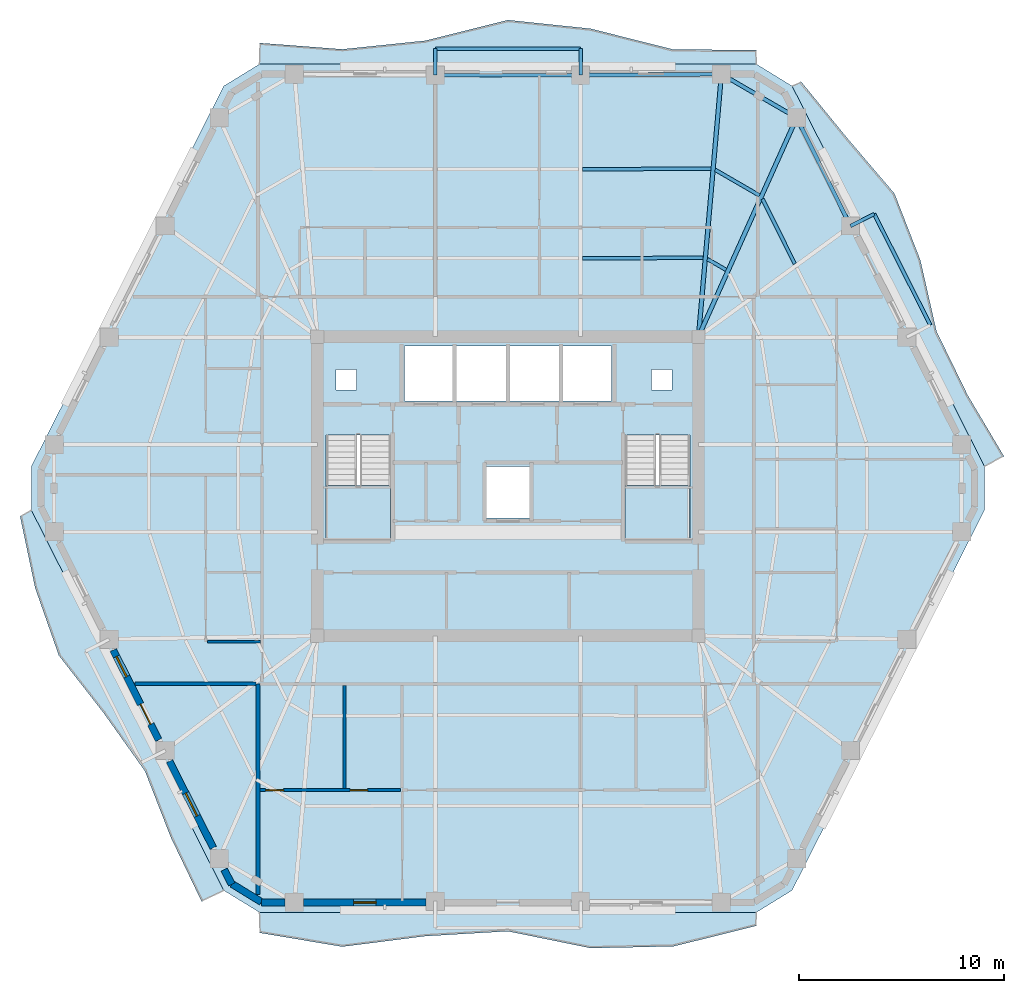
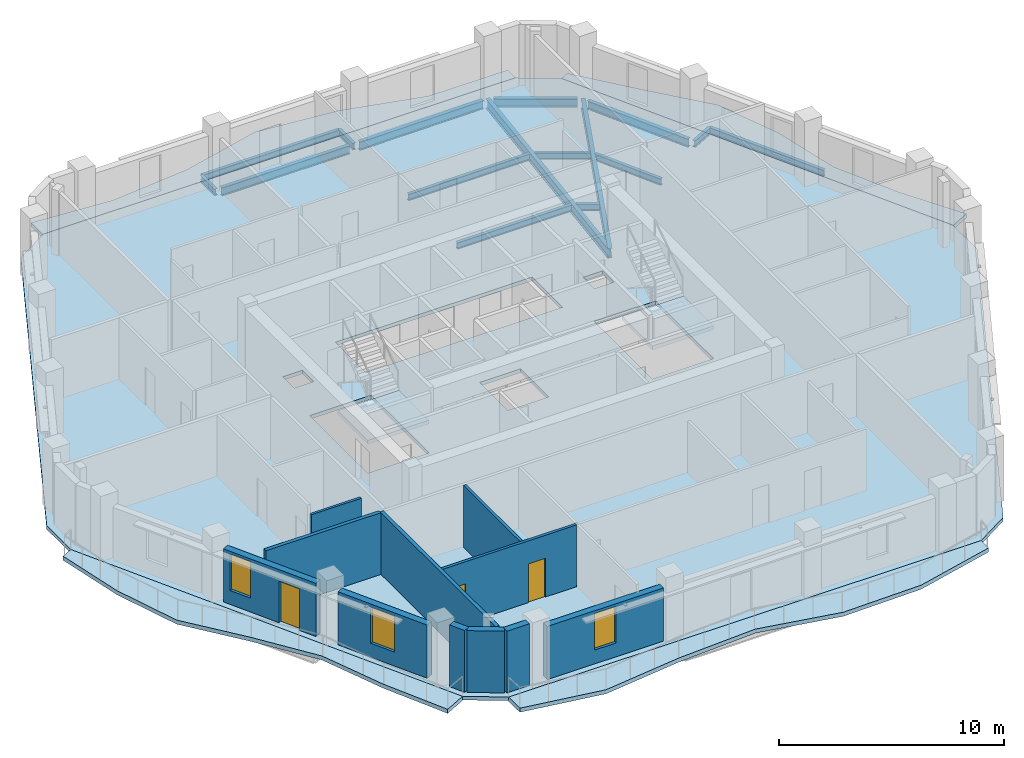
# One storey, part 3 of 11: 16 beams, 11 walls, 7 slabs, 3 doors, 3 windows, 6 openings, 2 elements without a shape of their own.
"""IFC4 building model written with IfcOpenShell, lengths in metres."""

from ifc_helpers import new_model, si_unit, direction, frame, frame_2d, origin, origin_2d, place, context, subcontext, project, spatial, polyline, rectangle, i_section, outline, extrude, material, layer, layer_set, material_profile, profile_set, type_object, element, fill, aggregate, save


model = new_model("IFC4")

# Units and contexts
model_context = context("Model", 3, precision=1e-05, world=origin(), true_north=direction((0.0, 1.0)))
body_context = subcontext(model_context, "Body", "Model", "MODEL_VIEW")
ifc_project = project(units=[si_unit("LENGTHUNIT", "METRE"), si_unit("AREAUNIT", "SQUARE_METRE"), si_unit("VOLUMEUNIT", "CUBIC_METRE"), si_unit("PLANEANGLEUNIT", "RADIAN"), si_unit("MASSUNIT", "GRAM", prefix="KILO")], contexts=[model_context])

# Site, building, storey
site_placement = place(None, origin())
site = spatial("IfcSite", under=ifc_project, at=site_placement, CompositionType="ELEMENT")
building_placement = place(site_placement, origin())
building = spatial("IfcBuilding", under=site, at=building_placement, Name="Cinnabar Lancet Tower", CompositionType="ELEMENT")
storey_placement = place(building_placement, frame((0.0, 0.0, 196.75)))
storey = spatial("IfcBuildingStorey", under=building, at=storey_placement, Name="L52", CompositionType="ELEMENT", Elevation=196.75)

# Beams
ifc_material_1 = material(Name="Structural steel S355", Category="steel")
ifc_material_profile_1 = material_profile(ifc_material_1, i_section(OverallWidth=0.17138671875, OverallDepth=0.35498046875, WebThickness=0.00732421875, FlangeThickness=0.011474609375, FilletRadius=0.01025390625, at=origin_2d()), Name="UKB 356x171x51")
ifc_profile_set_1 = profile_set([ifc_material_profile_1], Name="Structural steel S355")
beam_type_1 = type_object("IfcBeamType", Name="STR-BM-JST-356", PredefinedType="JOIST", material=ifc_profile_set_1)
beam_1_placement = place(storey_placement, frame((46.40087890625, 36.75, -0.376953125), z_axis=(-0.444780091128, 0.895639810714, 0.0), x_axis=(-0.895639810714, -0.444780091128, 0.0)))
element("IfcBeam", 1, at=beam_1_placement, inside=storey, type_object=beam_type_1, Name="L52 Secondary Floor Joist 29", PredefinedType="JOIST", context=body_context, shape_type="SweptSolid", body=[
    extrude(i_section(OverallWidth=0.17138671875, OverallDepth=0.35498046875, WebThickness=0.00732421875, FlangeThickness=0.011474609375, FilletRadius=0.01025390625, at=origin_2d()), origin(), (0.0, 0.0, 1.0), 3.533935546875),
])
beam_2_placement = place(storey_placement, frame((44.677978515625, 40.089111328125, -0.376953125), z_axis=(-0.865267839663, 0.501309849937, 0.0), x_axis=(-0.501309849937, -0.865267839663, 0.0)))
element("IfcBeam", 2, at=beam_2_placement, inside=storey, type_object=beam_type_1, Name="L52 Secondary Floor Joist 31", PredefinedType="JOIST", context=body_context, shape_type="SweptSolid", body=[
    extrude(i_section(OverallWidth=0.17138671875, OverallDepth=0.35498046875, WebThickness=0.00732421875, FlangeThickness=0.011474609375, FilletRadius=0.01025390625, at=origin_2d()), origin(), (0.0, 0.0, 1.0), 2.497314453125),
])
beam_3_placement = place(storey_placement, frame((43.047119140625, 36.45703125, -0.376953125), z_axis=(-0.8651881055, 0.501447446998, 0.0), x_axis=(-0.501447446998, -0.8651881055, 0.0)))
element("IfcBeam", 3, at=beam_3_placement, inside=storey, type_object=beam_type_1, Name="L52 Secondary Floor Joist 32", PredefinedType="JOIST", context=body_context, shape_type="SweptSolid", body=[
    extrude(i_section(OverallWidth=0.17138671875, OverallDepth=0.35498046875, WebThickness=0.00732421875, FlangeThickness=0.011474609375, FilletRadius=0.01025390625, at=origin_2d()), origin(), (0.0, 0.0, 1.0), 1.05322265625),
])
beam_4_placement = place(storey_placement, frame((42.31201171875, 41.39794921875, -0.376953125), z_axis=(-0.999986965561, -0.005105752523, 0.0), x_axis=(0.005105752523, -0.999986965561, 0.0)))
element("IfcBeam", 4, at=beam_4_placement, inside=storey, type_object=beam_type_1, Name="L52 Secondary Floor Joist 33", PredefinedType="JOIST", context=body_context, shape_type="SweptSolid", body=[
    extrude(i_section(OverallWidth=0.17138671875, OverallDepth=0.35498046875, WebThickness=0.00732421875, FlangeThickness=0.011474609375, FilletRadius=0.01025390625, at=origin_2d()), origin(), (0.0, 0.0, 1.0), 6.263916015625),
])
beam_5_placement = place(storey_placement, frame((41.930908203125, 37.04296875, -0.376953125), z_axis=(-0.999996795667, -0.002531532393, 0.0), x_axis=(0.002531532393, -0.999996795667, 0.0)))
element("IfcBeam", 5, at=beam_5_placement, inside=storey, type_object=beam_type_1, Name="L52 Secondary Floor Joist 34", PredefinedType="JOIST", context=body_context, shape_type="SweptSolid", body=[
    extrude(i_section(OverallWidth=0.17138671875, OverallDepth=0.35498046875, WebThickness=0.00732421875, FlangeThickness=0.011474609375, FilletRadius=0.01025390625, at=origin_2d()), origin(), (0.0, 0.0, 1.0), 5.8828125),
])
ifc_material_2 = material(Name="Structural steel S355", Category="steel")
ifc_material_profile_2 = material_profile(ifc_material_2, i_section(OverallWidth=0.1904296875, OverallDepth=0.45703125, WebThickness=0.009033203125, FlangeThickness=0.014404296875, FilletRadius=0.01025390625, at=origin_2d()), Name="UKB 457x191x74")
ifc_profile_set_2 = profile_set([ifc_material_profile_2], Name="Structural steel S355")
beam_type_2 = type_object("IfcBeamType", Name="STR-BM-SPN-457", PredefinedType="SPANDREL", material=ifc_profile_set_2)
beam_6_placement = place(storey_placement, frame((49.008056640625, 38.822998046875, -0.427978515625), z_axis=(-0.444932986899, 0.895563865489, 0.0), x_axis=(-0.895563865489, -0.444932986899, 0.0)))
element("IfcBeam", 6, at=beam_6_placement, inside=storey, type_object=beam_type_2, Name="L52 Perimeter Spandrel 11", PredefinedType="SPANDREL", context=body_context, shape_type="SweptSolid", body=[
    extrude(i_section(OverallWidth=0.1904296875, OverallDepth=0.45703125, WebThickness=0.009033203125, FlangeThickness=0.014404296875, FilletRadius=0.01025390625, at=origin_2d()), origin(), (0.0, 0.0, 1.0), 5.398681640625),
])
beam_7_placement = place(storey_placement, frame((46.279052734375, 44.007080078125, -0.427978515625), z_axis=(-0.865195717586, 0.501434313016, 0.0), x_axis=(-0.501434313016, -0.865195717586, 0.0)))
element("IfcBeam", 7, at=beam_7_placement, inside=storey, type_object=beam_type_2, Name="L52 Perimeter Spandrel 12", PredefinedType="SPANDREL", context=body_context, shape_type="SweptSolid", body=[
    extrude(i_section(OverallWidth=0.1904296875, OverallDepth=0.45703125, WebThickness=0.009033203125, FlangeThickness=0.014404296875, FilletRadius=0.01025390625, at=origin_2d()), origin(), (0.0, 0.0, 1.0), 3.7470703125),
])
beam_8_placement = place(storey_placement, frame((42.571044921875, 46.009033203125, -0.427978515625), z_axis=(-0.999970401924, -0.007693846685, 0.0), x_axis=(0.007693846685, -0.999970401924, 0.0)))
element("IfcBeam", 8, at=beam_8_placement, inside=storey, type_object=beam_type_2, Name="L52 Perimeter Spandrel 13", PredefinedType="SPANDREL", context=body_context, shape_type="SweptSolid", body=[
    extrude(i_section(OverallWidth=0.1904296875, OverallDepth=0.45703125, WebThickness=0.009033203125, FlangeThickness=0.014404296875, FilletRadius=0.01025390625, at=origin_2d()), origin(), (0.0, 0.0, 1.0), 6.378173828125),
])
beam_9_placement = place(storey_placement, frame((35.693115234375, 45.9580078125, -0.427978515625), z_axis=(-1.0, 0.0, 0.0), x_axis=(0.0, -1.0, 0.0)))
element("IfcBeam", 9, at=beam_9_placement, inside=storey, type_object=beam_type_2, Name="L52 Perimeter Spandrel 14", PredefinedType="SPANDREL", context=body_context, shape_type="SweptSolid", body=[
    extrude(i_section(OverallWidth=0.1904296875, OverallDepth=0.45703125, WebThickness=0.009033203125, FlangeThickness=0.014404296875, FilletRadius=0.01025390625, at=origin_2d()), origin(), (0.0, 0.0, 1.0), 6.586181640625),
])
ifc_material_3 = material(Name="Structural steel S355", Category="steel")
ifc_material_profile_3 = material_profile(ifc_material_3, i_section(OverallWidth=0.209228515625, OverallDepth=0.533203125, WebThickness=0.010009765625, FlangeThickness=0.015625, FilletRadius=0.0126953125, at=origin_2d()), Name="UKB 533x210x92")
ifc_profile_set_3 = profile_set([ifc_material_profile_3], Name="Structural steel S355")
beam_type_3 = type_object("IfcBeamType", Name="STR-BM-UKB533-92", PredefinedType="BEAM", material=ifc_profile_set_3)
beam_10_placement = place(storey_placement, frame((46.4951171875, 43.882080078125, -0.467041015625), z_axis=(-0.409527011626, -0.912297992297, 0.0), x_axis=(0.912297992297, -0.409527011626, 0.0)))
element("IfcBeam", 10, at=beam_10_placement, inside=storey, type_object=beam_type_3, Name="L52 Primary Floor Girder 12", PredefinedType="BEAM", context=body_context, shape_type="SweptSolid", body=[
    extrude(i_section(OverallWidth=0.209228515625, OverallDepth=0.533203125, WebThickness=0.010009765625, FlangeThickness=0.015625, FilletRadius=0.0126953125, at=origin_2d()), origin(), (0.0, 0.0, 1.0), 11.708984375),
])
beam_11_placement = place(storey_placement, frame((42.821044921875, 46.010986328125, -0.467041015625), z_axis=(-0.087176841412, -0.996192851973, 0.0), x_axis=(0.996192851973, -0.087176841412, 0.0)))
element("IfcBeam", 11, at=beam_11_placement, inside=storey, type_object=beam_type_3, Name="L52 Primary Floor Girder 13", PredefinedType="BEAM", context=body_context, shape_type="SweptSolid", body=[
    extrude(i_section(OverallWidth=0.209228515625, OverallDepth=0.533203125, WebThickness=0.010009765625, FlangeThickness=0.015625, FilletRadius=0.0126953125, at=origin_2d()), origin(), (0.0, 0.0, 1.0), 12.860107421875),
])
ifc_material_4 = material(Name="Structural steel S355", Category="steel")
ifc_material_profile_4 = material_profile(ifc_material_4, i_section(OverallWidth=0.17138671875, OverallDepth=0.35498046875, WebThickness=0.00732421875, FlangeThickness=0.011474609375, FilletRadius=0.01025390625, at=origin_2d()), Name="UKB 356x171x51")
ifc_profile_set_4 = profile_set([ifc_material_profile_4], Name="Structural steel S355")
beam_type_4 = type_object("IfcBeamType", Name="STR-BM-WAV-OUT", PredefinedType="BEAM", material=ifc_profile_set_4)
for number, where, z_axis, x_axis, name in (
    (12, (49.118896484375, 38.59912109375, -0.39794921875), (0.892314203325, 0.451414845285, 0.0), (-0.451414845285, 0.892314203325, 0.0), "L52 Face 3 Balcony Outlooker B"),
    (13, (35.943115234375, 45.9580078125, -0.39794921875), (0.0, 1.0, 0.0), (-1.0, 0.0, 0.0), "L52 Face 4 Balcony Outlooker A"),
    (14, (28.85693359375, 45.9580078125, -0.39794921875), (0.0, 1.0, 0.0), (-1.0, 0.0, 0.0), "L52 Face 4 Balcony Outlooker B"),
):
    element("IfcBeam", number, at=place(storey_placement, frame(where, z_axis=z_axis, x_axis=x_axis)), inside=storey, type_object=beam_type_4, Name=name, PredefinedType="BEAM", context=body_context, shape_type="SweptSolid", body=[
        extrude(i_section(OverallWidth=0.17138671875, OverallDepth=0.35498046875, WebThickness=0.00732421875, FlangeThickness=0.011474609375, FilletRadius=0.01025390625, at=origin_2d()), origin(), (0.0, 0.0, 1.0), 1.300048828125),
    ])
ifc_material_5 = material(Name="Structural steel S355", Category="steel")
ifc_material_profile_5 = material_profile(ifc_material_5, i_section(OverallWidth=0.17138671875, OverallDepth=0.35498046875, WebThickness=0.00732421875, FlangeThickness=0.011474609375, FilletRadius=0.01025390625, at=origin_2d()), Name="UKB 356x171x51")
ifc_profile_set_5 = profile_set([ifc_material_profile_5], Name="Structural steel S355")
beam_type_5 = type_object("IfcBeamType", Name="STR-BM-WAV-TRIM", PredefinedType="SPANDREL", material=ifc_profile_set_5)
beam_12_placement = place(storey_placement, frame((53.01806640625, 33.758056640625, -0.39794921875), z_axis=(-0.450503306898, 0.892774759093, 0.0), x_axis=(-0.892774759093, -0.450503306898, 0.0)))
element("IfcBeam", 15, at=beam_12_placement, inside=storey, type_object=beam_type_5, Name="L52 Face 3 Balcony Edge Trimmer", PredefinedType="SPANDREL", context=body_context, shape_type="SweptSolid", body=[
    extrude(i_section(OverallWidth=0.17138671875, OverallDepth=0.35498046875, WebThickness=0.00732421875, FlangeThickness=0.011474609375, FilletRadius=0.01025390625, at=origin_2d()), origin(), (0.0, 0.0, 1.0), 6.079833984375),
])
beam_13_placement = place(storey_placement, frame((35.943115234375, 47.258056640625, -0.39794921875), z_axis=(-1.0, 0.0, 0.0), x_axis=(0.0, -1.0, 0.0)))
element("IfcBeam", 16, at=beam_13_placement, inside=storey, type_object=beam_type_5, Name="L52 Face 4 Balcony Edge Trimmer", PredefinedType="SPANDREL", context=body_context, shape_type="SweptSolid", body=[
    extrude(i_section(OverallWidth=0.17138671875, OverallDepth=0.35498046875, WebThickness=0.00732421875, FlangeThickness=0.011474609375, FilletRadius=0.01025390625, at=origin_2d()), origin(), (0.0, 0.0, 1.0), 7.086181640625),
])

# Stair, slab
ifc_material_6 = material(Name="Concrete C40/50", Category="concrete")
stair_type = type_object("IfcStairType", Name="ST-CORE", PredefinedType="HALF_TURN_STAIR", material=ifc_material_6)
stair_1_placement = place(storey_placement, origin())
stair_1 = element("IfcStair", 17, at=stair_1_placement, inside=storey, type_object=stair_type, Name="L52 ST-1", PredefinedType="HALF_TURN_STAIR")
ifc_material_7 = material(Name="Concrete C40/50", Category="concrete")
ifc_layer_1 = layer(ifc_material_7, 0.199951171875)
ifc_layer_set_1 = layer_set([ifc_layer_1], Name="Concrete C40/50")
slab_type_1 = type_object("IfcSlabType", Name="LANDING-CORE", PredefinedType="LANDING", material=ifc_layer_set_1)
slab_1_placement = place(storey_placement, frame((0.0, 0.0, 1.574951171875)))
slab_1 = element("IfcSlab", 18, at=slab_1_placement, type_object=slab_type_1, Name="ST-1 landing 1", PredefinedType="LANDING", context=body_context, shape_type="SweptSolid", body=[
    extrude(outline(polyline([(23.52490234375, 25.925048828125), (23.52490234375, 23.25), (26.675048828125, 23.25), (26.675048828125, 25.925048828125), (23.52490234375, 25.925048828125)])), origin(), (0.0, 0.0, 1.0), 0.199951171875),
])
aggregate(stair_1, [slab_1])

stair_2_placement = place(storey_placement, origin())
stair_2 = element("IfcStair", 19, at=stair_2_placement, inside=storey, type_object=stair_type, Name="L52 ST-2", PredefinedType="HALF_TURN_STAIR")
slab_2_placement = place(storey_placement, frame((0.0, 0.0, 1.574951171875)))
slab_2 = element("IfcSlab", 20, at=slab_2_placement, type_object=slab_type_1, Name="ST-2 landing 1", PredefinedType="LANDING", context=body_context, shape_type="SweptSolid", body=[
    extrude(outline(polyline([(38.125, 25.925048828125), (38.125, 23.25), (41.27490234375, 23.25), (41.27490234375, 25.925048828125), (38.125, 25.925048828125)])), origin(), (0.0, 0.0, 1.0), 0.199951171875),
])
aggregate(stair_2, [slab_2])

# Slabs
ifc_material_8 = material(Name="Concrete C40/50", Category="concrete")
ifc_layer_2 = layer(ifc_material_8, 0.199951171875)
ifc_layer_set_2 = layer_set([ifc_layer_2], Name="Concrete C40/50")
slab_type_2 = type_object("IfcSlabType", Name="STR-SLB-FLR-200", PredefinedType="FLOOR", material=ifc_layer_set_2)
slab_3_placement = place(storey_placement, frame((0.0, 0.0, -0.199951171875)))
element("IfcSlab", 21, at=slab_3_placement, inside=storey, type_object=slab_type_2, Name="L52 Structural Floor Slab", PredefinedType="FLOOR", context=body_context, shape_type="SweptSolid", body=[
    extrude(outline(polyline([(18.530029296875, 6.1708984375), (20.27197265625, 5.10009765625), (44.528076171875, 5.10009765625), (46.27001953125, 6.1708984375), (55.657958984375, 24.72900390625), (55.657958984375, 26.87109375), (46.27001953125, 45.428955078125), (44.528076171875, 46.5), (20.27197265625, 46.5), (18.530029296875, 45.428955078125), (9.14208984375, 26.87109375), (9.14208984375, 24.72900390625), (18.530029296875, 6.1708984375)]), holes=[polyline([(23.52490234375, 23.25), (26.675048828125, 23.25), (26.675048828125, 28.3994140625), (23.52490234375, 28.3994140625), (23.52490234375, 23.25)]), polyline([(38.125, 23.25), (41.27490234375, 23.25), (41.27490234375, 28.3994140625), (38.125, 28.3994140625), (38.125, 23.25)]), polyline([(27.35009765625, 30.050048828125), (37.449951171875, 30.050048828125), (37.449951171875, 32.75), (27.35009765625, 32.75), (27.35009765625, 30.050048828125)]), polyline([(31.35009765625, 24.35009765625), (33.449951171875, 24.35009765625), (33.449951171875, 26.85009765625), (31.35009765625, 26.85009765625), (31.35009765625, 24.35009765625)]), polyline([(24.0, 30.60009765625), (25.0, 30.60009765625), (25.0, 31.60009765625), (24.0, 31.60009765625), (24.0, 30.60009765625)]), polyline([(39.39990234375, 30.60009765625), (40.39990234375, 30.60009765625), (40.39990234375, 31.60009765625), (39.39990234375, 31.60009765625), (39.39990234375, 30.60009765625)])]), origin(), (0.0, 0.0, 1.0), 0.199951171875),
])
ifc_material_9 = material(Name="Concrete C45/55", Category="concrete")
ifc_layer_3 = layer(ifc_material_9, 0.219970703125)
ifc_layer_set_3 = layer_set([ifc_layer_3], Name="Concrete C45/55")
slab_type_3 = type_object("IfcSlabType", Name="STR-SLB-WAV-220", PredefinedType="FLOOR", material=ifc_layer_set_3)
slab_4_placement = place(storey_placement, frame((0.0, 0.0, -0.219970703125)))
element("IfcSlab", 22, at=slab_4_placement, inside=storey, type_object=slab_type_3, Name="L52 Face 1 Undulating Wave Balcony Slab", PredefinedType="FLOOR", context=body_context, shape_type="SweptSolid", body=[
    extrude(outline(polyline([(20.27197265625, 5.10009765625), (20.27197265625, 4.10009765625), (24.31494140625, 3.424072265625), (28.35693359375, 3.93701171875), (32.39990234375, 4.176025390625), (36.443115234375, 3.35205078125), (40.485107421875, 3.43994140625), (44.528076171875, 4.44189453125), (44.528076171875, 5.10009765625), (20.27197265625, 5.10009765625)])), origin(), (0.0, 0.0, 1.0), 0.219970703125),
])
slab_5_placement = place(storey_placement, frame((0.0, 0.0, -0.219970703125)))
element("IfcSlab", 23, at=slab_5_placement, inside=storey, type_object=slab_type_3, Name="L52 Face 3 Undulating Wave Balcony Slab", PredefinedType="FLOOR", context=body_context, shape_type="SweptSolid", body=[
    extrude(outline(polyline([(55.657958984375, 26.87109375), (56.612060546875, 27.35400390625), (54.839111328125, 30.341064453125), (53.319091796875, 33.45703125), (52.527099609375, 36.94091796875), (51.263916015625, 40.18603515625), (48.948974609375, 42.89990234375), (46.7041015625, 45.64794921875), (46.27001953125, 45.428955078125), (55.657958984375, 26.87109375)])), origin(), (0.0, 0.0, 1.0), 0.219970703125),
])
slab_6_placement = place(storey_placement, frame((0.0, 0.0, -0.219970703125)))
element("IfcSlab", 24, at=slab_6_placement, inside=storey, type_object=slab_type_3, Name="L52 Face 4 Undulating Wave Balcony Slab", PredefinedType="FLOOR", context=body_context, shape_type="SweptSolid", body=[
    extrude(outline(polyline([(44.528076171875, 46.5), (44.528076171875, 47.19189453125), (40.485107421875, 47.208984375), (36.443115234375, 48.22900390625), (32.39990234375, 48.653076171875), (28.35693359375, 47.64404296875), (24.31494140625, 47.22509765625), (20.27197265625, 47.533935546875), (20.27197265625, 46.5), (44.528076171875, 46.5)])), origin(), (0.0, 0.0, 1.0), 0.219970703125),
])
slab_7_placement = place(storey_placement, frame((0.0, 0.0, -0.219970703125)))
element("IfcSlab", 25, at=slab_7_placement, inside=storey, type_object=slab_type_3, Name="L52 Face 6 Undulating Wave Balcony Slab", PredefinedType="FLOOR", context=body_context, shape_type="SweptSolid", body=[
    extrude(outline(polyline([(9.14208984375, 24.72900390625), (8.5859375, 24.447021484375), (9.323974609375, 20.93603515625), (10.48095703125, 17.636962890625), (12.653076171875, 14.85107421875), (14.68505859375, 11.9951171875), (15.950927734375, 8.7509765625), (17.452880859375, 5.6259765625), (18.530029296875, 6.1708984375), (9.14208984375, 24.72900390625)])), origin(), (0.0, 0.0, 1.0), 0.219970703125),
])

# Walls
ifc_material_10 = material(Name="Fire-rated twin-frame acoustic drywall", Category="gypsum")
ifc_layer_4 = layer(ifc_material_10, 0.179931640625)
ifc_layer_set_4 = layer_set([ifc_layer_4], Name="Fire-rated twin-frame acoustic drywall")
wall_type_1 = type_object("IfcWallType", Name="ARC-WL-PARTY-180", PredefinedType="PARTITIONING", material=ifc_layer_set_4)
wall_1_placement = place(storey_placement, frame((20.199951171875, 5.968017578125, 0.0), z_axis=(0.0, 0.0, 1.0), x_axis=(0.0, 1.0, 0.0)))
element("IfcWall", 26, at=wall_1_placement, inside=storey, type_object=wall_type_1, Name="PW-L52-SPTY-202", PredefinedType="PARTITIONING", context=body_context, shape_type="SweptSolid", body=[
    extrude(rectangle(XDim=10.281982421875, YDim=0.179931640625, at=frame_2d((5.14111328125, 0.0))), origin(), (0.0, 0.0, 1.0), 3.35009765625),
])
wall_2_placement = place(storey_placement, frame((14.2109375, 16.25, 0.0), z_axis=(0.0, 0.0, 1.0), x_axis=(1.0, 0.0, 0.0)))
element("IfcWall", 27, at=wall_2_placement, inside=storey, type_object=wall_type_1, Name="PW-L52-WSB", PredefinedType="PARTITIONING", context=body_context, shape_type="SweptSolid", body=[
    extrude(rectangle(XDim=5.89404296875, YDim=0.179931640625, at=frame_2d((2.947021484375, 0.0))), origin(), (0.0, 0.0, 1.0), 3.35009765625),
])
ifc_material_11 = material(Name="Gypsum plasterboard stud partition", Category="gypsum")
ifc_layer_5 = layer(ifc_material_11, 0.125)
ifc_layer_set_5 = layer_set([ifc_layer_5], Name="Gypsum plasterboard stud partition")
wall_type_2 = type_object("IfcWallType", Name="ARC-WL-UNIT-125", PredefinedType="PARTITIONING", material=ifc_layer_set_5)
wall_3_placement = place(storey_placement, frame((17.735107421875, 18.300048828125, 0.0), z_axis=(0.0, 0.0, 1.0), x_axis=(1.0, 0.0, 0.0)))
element("IfcWall", 28, at=wall_3_placement, inside=storey, type_object=wall_type_2, Name="UW-L52-W01-FOYN", PredefinedType="PARTITIONING", context=body_context, shape_type="SweptSolid", body=[
    extrude(rectangle(XDim=2.579833984375, YDim=0.125, at=frame_2d((1.2900390625, 0.0))), origin(), (0.0, 0.0, 1.0), 2.806884765625),
])

# Wall, openings, doors
ifc_material_12 = material(Name="Moisture-resistant cement-board plumbing wall", Category="masonry")
ifc_layer_6 = layer(ifc_material_12, 0.139892578125)
ifc_layer_set_6 = layer_set([ifc_layer_6], Name="Moisture-resistant cement-board plumbing wall")
wall_type_3 = type_object("IfcWallType", Name="ARC-WL-WET-140", PredefinedType="PLUMBINGWALL", material=ifc_layer_set_6)
wall_4_placement = place(storey_placement, frame((20.294921875, 11.06298828125, 0.0), z_axis=(0.0, 0.0, 1.0), x_axis=(1.0, 0.0, 0.0)))
wall_4 = element("IfcWall", 29, at=wall_4_placement, inside=storey, type_object=wall_type_3, Name="UW-L52-S01-SPM", PredefinedType="PLUMBINGWALL", context=body_context, shape_type="SweptSolid", body=[
    extrude(rectangle(XDim=6.8671875, YDim=0.139892578125, at=frame_2d((3.43359375, 0.0))), origin(), (0.0, 0.0, 1.0), 3.35009765625),
])
opening_1_placement = place(wall_4_placement, frame((0.280029296875, 0.0, 0.0)))
opening_1 = element("IfcOpeningElement", 30, at=opening_1_placement, cuts=wall_4, Name="Opening RD-02", PredefinedType="OPENING", context=body_context, shape_type="SweptSolid", body=[
    extrude(rectangle(XDim=0.8798828125, YDim=2.14990234375, at=frame_2d((0.43994140625, 1.074951171875))), frame((0.0, 0.079833984375, 0.0), z_axis=(0.0, -1.0, 0.0), x_axis=(1.0, 0.0, 0.0)), (0.0, 0.0, 1.0), 0.159912109375),
])
opening_2_placement = place(wall_4_placement, frame((4.402099609375, 0.0, 0.0)))
opening_2 = element("IfcOpeningElement", 31, at=opening_2_placement, cuts=wall_4, Name="Opening BD-01", PredefinedType="OPENING", context=body_context, shape_type="SweptSolid", body=[
    extrude(rectangle(XDim=0.860107421875, YDim=2.10009765625, at=frame_2d((0.43017578125, 1.050048828125))), frame((0.0, 0.079833984375, 0.0), z_axis=(0.0, -1.0, 0.0), x_axis=(1.0, 0.0, 0.0)), (0.0, 0.0, 1.0), 0.159912109375),
])
ifc_material_13 = material(Name="Moisture-resistant timber bathroom door", Category="wood")
door_type_1 = type_object("IfcDoorType", Name="ARC-DR-BATH", OperationType="NOTDEFINED", PredefinedType="DOOR", material=ifc_material_13)
door_1_placement = place(opening_2_placement, origin())
door_1 = element("IfcDoor", 32, at=door_1_placement, inside=storey, type_object=door_type_1, Name="DR-L52-S01-ENS", OperationType="SINGLE_SWING_LEFT", OverallHeight=2.10009765625, OverallWidth=0.860107421875, PredefinedType="DOOR", context=body_context, shape_type="SweptSolid", body=[
    extrude(rectangle(XDim=0.860107421875, YDim=2.10009765625, at=frame_2d((0.43017578125, 1.050048828125))), frame((0.0, 0.02490234375, 0.0), z_axis=(0.0, -1.0, 0.0), x_axis=(1.0, 0.0, 0.0)), (0.0, 0.0, 1.0), 0.050048828125),
])
fill(opening_2, door_1)
ifc_material_14 = material(Name="Engineered timber study door", Category="wood")
door_type_2 = type_object("IfcDoorType", Name="ARC-DR-STUDY", OperationType="NOTDEFINED", PredefinedType="DOOR", material=ifc_material_14)
door_2_placement = place(opening_1_placement, origin())
door_2 = element("IfcDoor", 33, at=door_2_placement, inside=storey, type_object=door_type_2, Name="DR-L52-S01-ENS-WDR", OperationType="SINGLE_SWING_RIGHT", OverallHeight=2.14990234375, OverallWidth=0.8798828125, PredefinedType="DOOR", context=body_context, shape_type="SweptSolid", body=[
    extrude(rectangle(XDim=0.8798828125, YDim=2.14990234375, at=frame_2d((0.43994140625, 1.074951171875))), frame((0.0, 0.02490234375, 0.0), z_axis=(0.0, -1.0, 0.0), x_axis=(1.0, 0.0, 0.0)), (0.0, 0.0, 1.0), 0.050048828125),
])
fill(opening_1, door_2)

# Walls
wall_5_placement = place(storey_placement, frame((24.4169921875, 11.14794921875, 0.0), z_axis=(0.0, 0.0, 1.0), x_axis=(0.0, 1.0, 0.0)))
element("IfcWall", 34, at=wall_5_placement, inside=storey, type_object=wall_type_3, Name="UW-L52-S01-ENS-WDV", PredefinedType="PLUMBINGWALL", context=body_context, shape_type="SweptSolid", body=[
    extrude(rectangle(XDim=5.01708984375, YDim=0.139892578125, at=frame_2d((2.508544921875, 0.0))), origin(), (0.0, 0.0, 1.0), 3.35009765625),
])
ifc_material_15 = material(Name="Cinnabar red clay brick", Category="masonry")
ifc_layer_7 = layer(ifc_material_15, 0.340087890625)
ifc_layer_set_7 = layer_set([ifc_layer_7], Name="Cinnabar red clay brick")
wall_type_4 = type_object("IfcWallType", Name="ENV-WL-BRK-RED-340", PredefinedType="STANDARD", material=ifc_layer_set_7)
wall_6_placement = place(storey_placement, frame((18.93798828125, 6.48388671875, 0.0), z_axis=(0.0, 0.0, 1.0), x_axis=(0.851778214877, -0.523902541185, 0.0)))
element("IfcWall", 35, at=wall_6_placement, inside=storey, type_object=wall_type_4, Name="L52 Chamfered Corner Brick Pier 1.1", PredefinedType="STANDARD", context=body_context, shape_type="SweptSolid", body=[
    extrude(rectangle(XDim=1.677734375, YDim=0.340087890625, at=frame_2d((0.8388671875, 0.0))), origin(), (0.0, 0.0, 1.0), 3.35009765625),
])
wall_7_placement = place(storey_placement, frame((20.362060546875, 5.580078125, 0.0), z_axis=(0.0, 0.0, 1.0), x_axis=(1.0, 0.0, 0.0)))
element("IfcWall", 36, at=wall_7_placement, inside=storey, type_object=wall_type_4, Name="L52 Face 1 Masonry Bay Wall 1", PredefinedType="STANDARD", context=body_context, shape_type="SweptSolid", body=[
    extrude(rectangle(XDim=1.162841796875, YDim=0.340087890625, at=frame_2d((0.58154296875, 0.0))), origin(), (0.0, 0.0, 1.0), 3.35009765625),
])

# Wall, opening, window
wall_8_placement = place(storey_placement, frame((22.43310546875, 5.580078125, 0.0), z_axis=(0.0, 0.0, 1.0), x_axis=(1.0, 0.0, 0.0)))
wall_8 = element("IfcWall", 37, at=wall_8_placement, inside=storey, type_object=wall_type_4, Name="L52 Face 1 Masonry Bay Wall 2", PredefinedType="STANDARD", context=body_context, shape_type="SweptSolid", body=[
    extrude(rectangle(XDim=5.969970703125, YDim=0.340087890625, at=frame_2d((2.98486328125, 0.0))), origin(), (0.0, 0.0, 1.0), 2.883056640625),
])
opening_3_placement = place(wall_8_placement, frame((2.43505859375, 0.0, 0.75)))
opening_3 = element("IfcOpeningElement", 38, at=opening_3_placement, cuts=wall_8, Name="Opening WN-04", PredefinedType="OPENING", context=body_context, shape_type="SweptSolid", body=[
    extrude(rectangle(XDim=1.10009765625, YDim=1.98291015625, at=frame_2d((0.550048828125, 0.991455078125))), frame((0.0, 0.179931640625, 0.0), z_axis=(0.0, -1.0, 0.0), x_axis=(1.0, 0.0, 0.0)), (0.0, 0.0, 1.0), 0.360107421875),
])
ifc_material_16 = material(Name="Thermally broken bronze-anodized aluminium tall lancet window", Category="aluminium")
window_type_1 = type_object("IfcWindowType", Name="ENV-WN-LANCET-1100", PartitioningType="SINGLE_PANEL", PredefinedType="WINDOW", material=ifc_material_16)
window_1_placement = place(opening_3_placement, origin())
window_1 = element("IfcWindow", 39, at=window_1_placement, inside=storey, type_object=window_type_1, Name="L52 Face 1 Gothic Lancet Window 2", OverallHeight=1.98291015625, OverallWidth=1.10009765625, PartitioningType="SINGLE_PANEL", PredefinedType="WINDOW", context=body_context, shape_type="SweptSolid", body=[
    extrude(rectangle(XDim=1.10009765625, YDim=1.98291015625, at=frame_2d((0.550048828125, 0.991455078125))), frame((0.0, 0.030029296875, 0.0), z_axis=(0.0, -1.0, 0.0), x_axis=(1.0, 0.0, 0.0)), (0.0, 0.0, 1.0), 0.06005859375),
])
fill(opening_3, window_1)

# Wall, openings, door, window
wall_9_placement = place(storey_placement, frame((13.135009765625, 17.89794921875, 0.0), z_axis=(0.0, 0.0, 1.0), x_axis=(0.451544279509, -0.892248711763, 0.0)))
wall_9 = element("IfcWall", 40, at=wall_9_placement, inside=storey, type_object=wall_type_4, Name="L52 Face 6 Masonry Bay Wall 3", PredefinedType="STANDARD", context=body_context, shape_type="SweptSolid", body=[
    extrude(rectangle(XDim=4.909912109375, YDim=0.340087890625, at=frame_2d((2.455078125, 0.0))), origin(), (0.0, 0.0, 1.0), 2.883056640625),
])
opening_4_placement = place(wall_9_placement, frame((2.9541015625, 0.0, 0.0)))
opening_4 = element("IfcOpeningElement", 41, at=opening_4_placement, cuts=wall_9, Name="Opening TD-01", PredefinedType="OPENING", context=body_context, shape_type="SweptSolid", body=[
    extrude(rectangle(XDim=1.10009765625, YDim=2.25, at=frame_2d((0.550048828125, 1.125))), frame((0.0, 0.179931640625, 0.0), z_axis=(0.0, -1.0, 0.0), x_axis=(1.0, 0.0, 0.0)), (0.0, 0.0, 1.0), 0.360107421875),
])
opening_5_placement = place(wall_9_placement, frame((0.35302734375, 0.0, 0.75)))
opening_5 = element("IfcOpeningElement", 42, at=opening_5_placement, cuts=wall_9, Name="Opening WN-04", PredefinedType="OPENING", context=body_context, shape_type="SweptSolid", body=[
    extrude(rectangle(XDim=1.10009765625, YDim=1.98291015625, at=frame_2d((0.550048828125, 0.991455078125))), frame((0.0, 0.179931640625, 0.0), z_axis=(0.0, -1.0, 0.0), x_axis=(1.0, 0.0, 0.0)), (0.0, 0.0, 1.0), 0.360107421875),
])
ifc_material_17 = material(Name="Thermally broken low-E glazed balcony terrace door", Category="wood")
door_type_3 = type_object("IfcDoorType", Name="ARC-DR-BALC", OperationType="NOTDEFINED", PredefinedType="DOOR", material=ifc_material_17)
door_3_placement = place(opening_4_placement, origin())
door_3 = element("IfcDoor", 43, at=door_3_placement, inside=storey, type_object=door_type_3, Name="L52 Face 6 Glazed Terrace Door", OperationType="SINGLE_SWING_RIGHT", OverallHeight=2.25, OverallWidth=1.10009765625, PredefinedType="DOOR", context=body_context, shape_type="SweptSolid", body=[
    extrude(rectangle(XDim=1.10009765625, YDim=2.25, at=frame_2d((0.550048828125, 1.125))), frame((0.0, 0.02490234375, 0.0), z_axis=(0.0, -1.0, 0.0), x_axis=(1.0, 0.0, 0.0)), (0.0, 0.0, 1.0), 0.050048828125),
])
fill(opening_4, door_3)
window_2_placement = place(opening_5_placement, origin())
window_2 = element("IfcWindow", 44, at=window_2_placement, inside=storey, type_object=window_type_1, Name="L52 Split-Bay Gothic Lancet Window 176", OverallHeight=1.98291015625, OverallWidth=1.10009765625, PartitioningType="SINGLE_PANEL", PredefinedType="WINDOW", context=body_context, shape_type="SweptSolid", body=[
    extrude(rectangle(XDim=1.10009765625, YDim=1.98291015625, at=frame_2d((0.550048828125, 0.991455078125))), frame((0.0, 0.030029296875, 0.0), z_axis=(0.0, -1.0, 0.0), x_axis=(1.0, 0.0, 0.0)), (0.0, 0.0, 1.0), 0.06005859375),
])
fill(opening_5, window_2)

# Wall, opening, window
wall_10_placement = place(storey_placement, frame((15.881103515625, 12.469970703125, 0.0), z_axis=(0.0, 0.0, 1.0), x_axis=(0.451522864045, -0.892259549259, 0.0)))
wall_10 = element("IfcWall", 45, at=wall_10_placement, inside=storey, type_object=wall_type_4, Name="L52 Face 6 Masonry Bay Wall 4", PredefinedType="STANDARD", context=body_context, shape_type="SweptSolid", body=[
    extrude(rectangle(XDim=4.730712890625, YDim=0.340087890625, at=frame_2d((2.365234375, 0.0))), origin(), (0.0, 0.0, 1.0), 2.883056640625),
])
opening_6_placement = place(wall_10_placement, frame((1.739990234375, 0.0, 0.75)))
opening_6 = element("IfcOpeningElement", 46, at=opening_6_placement, cuts=wall_10, Name="Opening WN-03", PredefinedType="OPENING", context=body_context, shape_type="SweptSolid", body=[
    extrude(rectangle(XDim=1.25, YDim=1.949951171875, at=frame_2d((0.625, 0.97509765625))), frame((0.0, 0.179931640625, 0.0), z_axis=(0.0, -1.0, 0.0), x_axis=(1.0, 0.0, 0.0)), (0.0, 0.0, 1.0), 0.360107421875),
])
ifc_material_18 = material(Name="Thermally broken bronze-anodized aluminium low-E double glazing", Category="aluminium")
window_type_2 = type_object("IfcWindowType", Name="ENV-WN-LANCET-1250", PartitioningType="SINGLE_PANEL", PredefinedType="WINDOW", material=ifc_material_18)
window_3_placement = place(opening_6_placement, origin())
window_3 = element("IfcWindow", 47, at=window_3_placement, inside=storey, type_object=window_type_2, Name="L52 Face 6 Gothic Lancet Window 4", OverallHeight=1.949951171875, OverallWidth=1.25, PartitioningType="SINGLE_PANEL", PredefinedType="WINDOW", context=body_context, shape_type="SweptSolid", body=[
    extrude(rectangle(XDim=1.25, YDim=1.949951171875, at=frame_2d((0.625, 0.97509765625))), frame((0.0, 0.030029296875, 0.0), z_axis=(0.0, -1.0, 0.0), x_axis=(1.0, 0.0, 0.0)), (0.0, 0.0, 1.0), 0.06005859375),
])
fill(opening_6, window_3)

# Wall
wall_11_placement = place(storey_placement, frame((18.553955078125, 7.18701171875, 0.0), z_axis=(0.0, 0.0, 1.0), x_axis=(0.451691568309, -0.892174157392, 0.0)))
element("IfcWall", 48, at=wall_11_placement, inside=storey, type_object=wall_type_4, Name="L52 Face 6 Masonry Bay Wall 5", PredefinedType="STANDARD", context=body_context, shape_type="SweptSolid", body=[
    extrude(rectangle(XDim=0.805908203125, YDim=0.340087890625, at=frame_2d((0.40283203125, 0.0))), origin(), (0.0, 0.0, 1.0), 3.35009765625),
])

save(model, "model.ifc")
